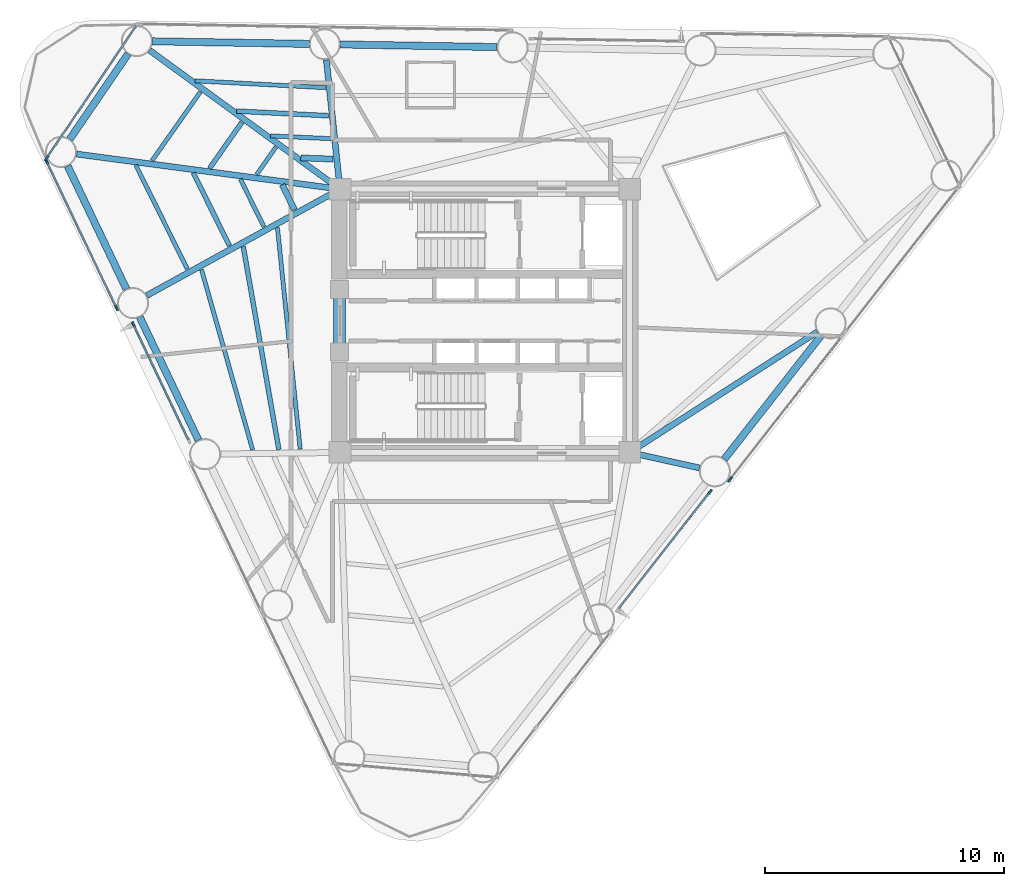
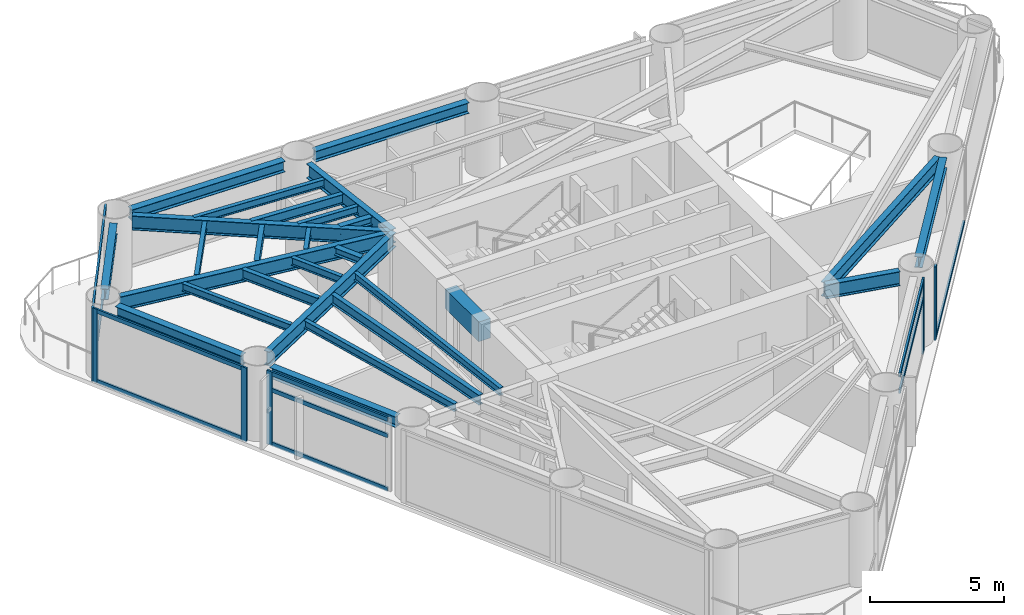
# One storey, part 3 of 10: 27 beams, 16 members, 5 elements without a shape of their own.
"""IFC4 building model written with IfcOpenShell, lengths in metres."""

from ifc_helpers import new_model, si_unit, direction, frame, origin, origin_2d, place, context, subcontext, project, spatial, rectangle, i_section, extrude, source, transform, mapped, material, layer, layer_set, material_profile, profile_set, type_object, element, aggregate, save


model = new_model("IFC4")

# Units and contexts
model_context = context("Model", 3, precision=1e-05, world=origin(), true_north=direction((0.0, 1.0)))
body_context = subcontext(model_context, "Body", "Model", "MODEL_VIEW")
ifc_project = project(units=[si_unit("LENGTHUNIT", "METRE"), si_unit("AREAUNIT", "SQUARE_METRE"), si_unit("VOLUMEUNIT", "CUBIC_METRE"), si_unit("PLANEANGLEUNIT", "RADIAN"), si_unit("MASSUNIT", "GRAM", prefix="KILO")], contexts=[model_context])

# Site, building, storey
site_placement = place(None, origin())
site = spatial("IfcSite", under=ifc_project, at=site_placement, CompositionType="ELEMENT")
building_placement = place(site_placement, origin())
building = spatial("IfcBuilding", under=site, at=building_placement, Name="Yunling Apex Tower", CompositionType="ELEMENT")
storey_placement = place(building_placement, frame((0.0, 0.0, 132.949951171875)))
storey = spatial("IfcBuildingStorey", under=building, at=storey_placement, Name="L32", CompositionType="ELEMENT", Elevation=132.949951171875)

# Beams
ifc_material_1 = material(Name="Concrete C50", Category="concrete")
ifc_material_profile_1 = material_profile(ifc_material_1, rectangle(XDim=0.5, YDim=0.89990234375, at=origin_2d()))
ifc_profile_set_1 = profile_set([ifc_material_profile_1], Name="Concrete C50")
beam_type_1 = type_object("IfcBeamType", Name="BC-CPL-2", PredefinedType="BEAM", material=ifc_profile_set_1)
shared_shape_1 = source(origin(), body_context, "Body", "SweptSolid", [
    extrude(rectangle(XDim=0.5, YDim=0.89990234375, at=origin_2d()), origin(), (0.0, 0.0, 1.0), 2.5),
])
beam_1_placement = place(storey_placement, frame((-6.074951171875, -1.25, 2.820068359375), z_axis=(0.0, 1.0, 0.0), x_axis=(-1.0, 0.0, 0.0)))
element("IfcBeam", 1, at=beam_1_placement, inside=storey, type_object=beam_type_1, Name="L32 Core West Portal Coupling Beam", PredefinedType="BEAM", context=body_context, shape_type="MappedRepresentation", body=[
    mapped(shared_shape_1, transform((0.0, 0.0, 0.0), scale=1.0)),
])
ifc_material_2 = material(Name="Steel Q355B", Category="steel")
ifc_material_profile_2 = material_profile(ifc_material_2, i_section(OverallWidth=0.300048828125, OverallDepth=0.489990234375, WebThickness=0.010986328125, FlangeThickness=0.01806640625, FilletRadius=0.02197265625, at=origin_2d()))
ifc_profile_set_2 = profile_set([ifc_material_profile_2], Name="Steel Q355B")
beam_type_2 = type_object("IfcBeamType", Name="BP-SPN-2", PredefinedType="SPANDREL", material=ifc_profile_set_2)
shared_shape_2 = source(origin(), body_context, "Body", "SweptSolid", [
    extrude(i_section(OverallWidth=0.300048828125, OverallDepth=0.489990234375, WebThickness=0.010986328125, FlangeThickness=0.01806640625, FilletRadius=0.02197265625, at=origin_2d()), origin(), (0.0, 0.0, 1.0), 6.562255859375),
])
beam_2_placement = place(storey_placement, frame((0.5166015625, 11.4375, 3.025146484375), z_axis=(-0.999859222118, 0.0167790329, 0.0), x_axis=(-0.0167790329, -0.999859222118, 0.0)))
element("IfcBeam", 2, at=beam_2_placement, inside=storey, type_object=beam_type_2, Name="L32 Perimeter Spandrel Beam 8", PredefinedType="SPANDREL", context=body_context, shape_type="MappedRepresentation", body=[
    mapped(shared_shape_2, transform((0.0, 0.0, 0.0), scale=1.0)),
])
shared_shape_3 = source(origin(), body_context, "Body", "SweptSolid", [
    extrude(i_section(OverallWidth=0.300048828125, OverallDepth=0.489990234375, WebThickness=0.010986328125, FlangeThickness=0.01806640625, FilletRadius=0.02197265625, at=origin_2d()), origin(), (0.0, 0.0, 1.0), 6.56201171875),
])
for number, where, z_axis, x_axis, name in (
    (3, (10.00732421875, -5.781982421875, 3.025146484375), (0.616233019323, 0.787563880518, 0.0), (-0.787563880518, 0.616233019323, 0.0), "L32 Perimeter Spandrel Beam 3"),
    (4, (-7.33251953125, 11.569091796875, 3.025146484375), (-0.999859211643, 0.016779657083, 0.0), (-0.016779657083, -0.999859211643, 0.0), "L32 Perimeter Spandrel Beam 9"),
):
    element("IfcBeam", number, at=place(storey_placement, frame(where, z_axis=z_axis, x_axis=x_axis)), inside=storey, type_object=beam_type_2, Name=name, PredefinedType="SPANDREL", context=body_context, shape_type="MappedRepresentation", body=[
        mapped(shared_shape_3, transform((0.0, 0.0, 0.0), scale=1.0)),
    ])
shared_shape_4 = source(origin(), body_context, "Body", "SweptSolid", [
    extrude(i_section(OverallWidth=0.300048828125, OverallDepth=0.489990234375, WebThickness=0.010986328125, FlangeThickness=0.01806640625, FilletRadius=0.02197265625, at=origin_2d()), origin(), (0.0, 0.0, 1.0), 4.328125),
])
beam_3_placement = place(storey_placement, frame((-14.901123046875, 11.158447265625, 3.025146484375), z_axis=(-0.564631339119, -0.825343232167, 0.0), x_axis=(0.825343232167, -0.564631339119, 0.0)))
element("IfcBeam", 5, at=beam_3_placement, inside=storey, type_object=beam_type_2, Name="L32 Perimeter Spandrel Beam 10", PredefinedType="SPANDREL", context=body_context, shape_type="MappedRepresentation", body=[
    mapped(shared_shape_4, transform((0.0, 0.0, 0.0), scale=1.0)),
])
shared_shape_5 = source(origin(), body_context, "Body", "SweptSolid", [
    extrude(i_section(OverallWidth=0.300048828125, OverallDepth=0.489990234375, WebThickness=0.010986328125, FlangeThickness=0.01806640625, FilletRadius=0.02197265625, at=origin_2d()), origin(), (0.0, 0.0, 1.0), 5.70751953125),
])
for number, where, z_axis, x_axis, name in (
    (6, (-17.431396484375, 6.473388671875, 3.025146484375), (0.430539541488, -0.902571716383, 0.0), (0.902571716383, 0.430539541488, 0.0), "L32 Perimeter Spandrel Beam 11"),
    (7, (-14.419677734375, 0.1591796875, 3.025146484375), (0.430539541488, -0.902571716383, 0.0), (0.902571716383, 0.430539541488, 0.0), "L32 Perimeter Spandrel Beam 12"),
):
    element("IfcBeam", number, at=place(storey_placement, frame(where, z_axis=z_axis, x_axis=x_axis)), inside=storey, type_object=beam_type_2, Name=name, PredefinedType="SPANDREL", context=body_context, shape_type="MappedRepresentation", body=[
        mapped(shared_shape_5, transform((0.0, 0.0, 0.0), scale=1.0)),
    ])
ifc_material_profile_3 = material_profile(ifc_material_2, i_section(OverallWidth=0.25, OverallDepth=0.64990234375, WebThickness=0.011962890625, FlangeThickness=0.02001953125, FilletRadius=0.02392578125, at=origin_2d()))
ifc_profile_set_3 = profile_set([ifc_material_profile_3], Name="Steel Q355B")
beam_type_3 = type_object("IfcBeamType", Name="BG-PRI-4", PredefinedType="USERDEFINED", material=ifc_profile_set_3)
shared_shape_6 = source(origin(), body_context, "Body", "SweptSolid", [
    extrude(i_section(OverallWidth=0.25, OverallDepth=0.64990234375, WebThickness=0.011962890625, FlangeThickness=0.02001953125, FilletRadius=0.02392578125, at=origin_2d()), origin(), (0.0, 0.0, 1.0), 2.908935546875),
])
beam_4_placement = place(storey_placement, frame((8.96826171875, -6.14697265625, 2.945068359375), z_axis=(-0.976295546219, 0.216441692917, 0.0), x_axis=(-0.216441692917, -0.976295546219, 0.0)))
element("IfcBeam", 8, at=beam_4_placement, inside=storey, type_object=beam_type_3, Name="L32 Radial Primary Girder R03", ObjectType="GIRDER", PredefinedType="USERDEFINED", context=body_context, shape_type="MappedRepresentation", body=[
    mapped(shared_shape_6, transform((0.0, 0.0, 0.0), scale=1.0)),
])
shared_shape_7 = source(origin(), body_context, "Body", "SweptSolid", [
    extrude(i_section(OverallWidth=0.25, OverallDepth=0.64990234375, WebThickness=0.011962890625, FlangeThickness=0.02001953125, FilletRadius=0.02392578125, at=origin_2d()), origin(), (0.0, 0.0, 1.0), 9.24267578125),
])
beam_5_placement = place(storey_placement, frame((13.894287109375, -0.46240234375, 2.945068359375), z_axis=(-0.841433276896, -0.540361027954, 0.0), x_axis=(0.540361027954, -0.841433276896, 0.0)))
element("IfcBeam", 9, at=beam_5_placement, inside=storey, type_object=beam_type_3, Name="L32 Radial Primary Girder R04", ObjectType="GIRDER", PredefinedType="USERDEFINED", context=body_context, shape_type="MappedRepresentation", body=[
    mapped(shared_shape_7, transform((0.0, 0.0, 0.0), scale=1.0)),
])
shared_shape_8 = source(origin(), body_context, "Body", "SweptSolid", [
    extrude(i_section(OverallWidth=0.25, OverallDepth=0.64990234375, WebThickness=0.011962890625, FlangeThickness=0.02001953125, FilletRadius=0.02392578125, at=origin_2d()), origin(), (0.0, 0.0, 1.0), 5.35400390625),
])
beam_6_placement = place(storey_placement, frame((-6.619384765625, 10.904052734375, 2.945068359375), z_axis=(0.104789227106, -0.99449445342, 0.0), x_axis=(0.99449445342, 0.104789227106, 0.0)))
element("IfcBeam", 10, at=beam_6_placement, inside=storey, type_object=beam_type_3, Name="L32 Radial Primary Girder R09", ObjectType="GIRDER", PredefinedType="USERDEFINED", context=body_context, shape_type="MappedRepresentation", body=[
    mapped(shared_shape_8, transform((0.0, 0.0, 0.0), scale=1.0)),
])
shared_shape_9 = source(origin(), body_context, "Body", "SweptSolid", [
    extrude(i_section(OverallWidth=0.25, OverallDepth=0.64990234375, WebThickness=0.011962890625, FlangeThickness=0.02001953125, FilletRadius=0.02392578125, at=origin_2d()), origin(), (0.0, 0.0, 1.0), 9.76708984375),
])
beam_7_placement = place(storey_placement, frame((-14.005859375, 11.30224609375, 2.945068359375), z_axis=(0.807958193343, -0.589239813497, 0.0), x_axis=(0.589239813497, 0.807958193343, 0.0)))
element("IfcBeam", 11, at=beam_7_placement, inside=storey, type_object=beam_type_3, Name="L32 Radial Primary Girder R10", ObjectType="GIRDER", PredefinedType="USERDEFINED", context=body_context, shape_type="MappedRepresentation", body=[
    mapped(shared_shape_9, transform((0.0, 0.0, 0.0), scale=1.0)),
])
shared_shape_10 = source(origin(), body_context, "Body", "SweptSolid", [
    extrude(i_section(OverallWidth=0.25, OverallDepth=0.64990234375, WebThickness=0.011962890625, FlangeThickness=0.02001953125, FilletRadius=0.02392578125, at=origin_2d()), origin(), (0.0, 0.0, 1.0), 11.023681640625),
])
beam_8_placement = place(storey_placement, frame((-17.056396484375, 6.9677734375, 2.945068359375), z_axis=(0.991223838358, -0.132194183952, 0.0), x_axis=(0.132194183952, 0.991223838358, 0.0)))
element("IfcBeam", 12, at=beam_8_placement, inside=storey, type_object=beam_type_3, Name="L32 Radial Primary Girder R11", ObjectType="GIRDER", PredefinedType="USERDEFINED", context=body_context, shape_type="MappedRepresentation", body=[
    mapped(shared_shape_10, transform((0.0, 0.0, 0.0), scale=1.0)),
])
shared_shape_11 = source(origin(), body_context, "Body", "SweptSolid", [
    extrude(i_section(OverallWidth=0.25, OverallDepth=0.64990234375, WebThickness=0.011962890625, FlangeThickness=0.02001953125, FilletRadius=0.02392578125, at=origin_2d()), origin(), (0.0, 0.0, 1.0), 9.132080078125),
])
beam_9_placement = place(storey_placement, frame((-14.120361328125, 1.057861328125, 2.945068359375), z_axis=(0.876057251214, 0.482207105501, 0.0), x_axis=(-0.482207105501, 0.876057251214, 0.0)))
element("IfcBeam", 13, at=beam_9_placement, inside=storey, type_object=beam_type_3, Name="L32 Radial Primary Girder R12", ObjectType="GIRDER", PredefinedType="USERDEFINED", context=body_context, shape_type="MappedRepresentation", body=[
    mapped(shared_shape_11, transform((0.0, 0.0, 0.0), scale=1.0)),
])
ifc_material_profile_4 = material_profile(ifc_material_2, i_section(OverallWidth=0.199951171875, OverallDepth=0.449951171875, WebThickness=0.009033203125, FlangeThickness=0.013916015625, FilletRadius=0.01806640625, at=origin_2d()))
ifc_profile_set_4 = profile_set([ifc_material_profile_4], Name="Steel Q355B")
beam_type_4 = type_object("IfcBeamType", Name="BS-SEC-3", PredefinedType="BEAM", material=ifc_profile_set_4)
shared_shape_12 = source(origin(), body_context, "Body", "SweptSolid", [
    extrude(i_section(OverallWidth=0.199951171875, OverallDepth=0.449951171875, WebThickness=0.009033203125, FlangeThickness=0.013916015625, FilletRadius=0.01806640625, at=origin_2d()), origin(), (0.0, 0.0, 1.0), 3.84619140625),
])
beam_10_placement = place(storey_placement, frame((-6.532470703125, 8.5693359375, 3.045166015625), z_axis=(-0.998745046624, 0.050083249128, 0.0), x_axis=(-0.050083249128, -0.998745046624, 0.0)))
element("IfcBeam", 14, at=beam_10_placement, inside=storey, type_object=beam_type_4, Name="L32 Composite Floor Beam BS-9", PredefinedType="BEAM", context=body_context, shape_type="MappedRepresentation", body=[
    mapped(shared_shape_12, transform((0.0, 0.0, 0.0), scale=1.0)),
])
ifc_material_profile_5 = material_profile(ifc_material_2, i_section(OverallWidth=0.175048828125, OverallDepth=0.35009765625, WebThickness=0.007080078125, FlangeThickness=0.010986328125, FilletRadius=0.013916015625, at=origin_2d()))
ifc_profile_set_5 = profile_set([ifc_material_profile_5], Name="Steel Q355B")
beam_type_5 = type_object("IfcBeamType", Name="BJ-JST-1", PredefinedType="JOIST", material=ifc_profile_set_5)
shared_shape_13 = source(origin(), body_context, "Body", "SweptSolid", [
    extrude(i_section(OverallWidth=0.175048828125, OverallDepth=0.35009765625, WebThickness=0.007080078125, FlangeThickness=0.010986328125, FilletRadius=0.013916015625, at=origin_2d()), origin(), (0.0, 0.0, 1.0), 5.4619140625),
])
beam_11_placement = place(storey_placement, frame((-6.65576171875, 9.740966796875, 3.094970703125), z_axis=(-0.998619804272, 0.052521295825, 0.0), x_axis=(-0.052521295825, -0.998619804272, 0.0)))
element("IfcBeam", 15, at=beam_11_placement, inside=storey, type_object=beam_type_5, Name="L32 Composite Floor Joist BJ1-9", PredefinedType="JOIST", context=body_context, shape_type="MappedRepresentation", body=[
    mapped(shared_shape_13, transform((0.0, 0.0, 0.0), scale=1.0)),
])
shared_shape_14 = source(origin(), body_context, "Body", "SweptSolid", [
    extrude(i_section(OverallWidth=0.175048828125, OverallDepth=0.35009765625, WebThickness=0.007080078125, FlangeThickness=0.010986328125, FilletRadius=0.013916015625, at=origin_2d()), origin(), (0.0, 0.0, 1.0), 2.52490234375),
])
beam_12_placement = place(storey_placement, frame((-6.431396484375, 7.6103515625, 3.094970703125), z_axis=(-0.998935787548, 0.046122579679, 0.0), x_axis=(-0.046122579679, -0.998935787548, 0.0)))
element("IfcBeam", 16, at=beam_12_placement, inside=storey, type_object=beam_type_5, Name="L32 Composite Floor Joist BJ3-9", PredefinedType="JOIST", context=body_context, shape_type="MappedRepresentation", body=[
    mapped(shared_shape_14, transform((0.0, 0.0, 0.0), scale=1.0)),
])
ifc_material_profile_6 = material_profile(ifc_material_2, i_section(OverallWidth=0.25, OverallDepth=0.340087890625, WebThickness=0.009033203125, FlangeThickness=0.013916015625, FilletRadius=0.01806640625, at=origin_2d()))
ifc_profile_set_6 = profile_set([ifc_material_profile_6], Name="Steel Q355B")
beam_type_6 = type_object("IfcBeamType", Name="BJ-JST-2", PredefinedType="JOIST", material=ifc_profile_set_6)
shared_shape_15 = source(origin(), body_context, "Body", "SweptSolid", [
    extrude(i_section(OverallWidth=0.25, OverallDepth=0.340087890625, WebThickness=0.009033203125, FlangeThickness=0.013916015625, FilletRadius=0.01806640625, at=origin_2d()), origin(), (0.0, 0.0, 1.0), 1.35009765625),
])
beam_13_placement = place(storey_placement, frame((-6.341796875, 6.7568359375, 3.10009765625), z_axis=(-0.999299138543, 0.03743302962, 0.0), x_axis=(-0.03743302962, -0.999299138543, 0.0)))
element("IfcBeam", 17, at=beam_13_placement, inside=storey, type_object=beam_type_6, Name="L32 Composite Floor Joist BJ2-9", PredefinedType="JOIST", context=body_context, shape_type="MappedRepresentation", body=[
    mapped(shared_shape_15, transform((0.0, 0.0, 0.0), scale=1.0)),
])
shared_shape_16 = source(origin(), body_context, "Body", "SweptSolid", [
    extrude(i_section(OverallWidth=0.199951171875, OverallDepth=0.449951171875, WebThickness=0.009033203125, FlangeThickness=0.013916015625, FilletRadius=0.01806640625, at=origin_2d()), origin(), (0.0, 0.0, 1.0), 2.349365234375),
])
beam_14_placement = place(storey_placement, frame((-10.152099609375, 8.293701171875, 3.045166015625), z_axis=(-0.574138652216, -0.818758088834, 0.0), x_axis=(0.818758088834, -0.574138652216, 0.0)))
element("IfcBeam", 18, at=beam_14_placement, inside=storey, type_object=beam_type_4, Name="L32 Composite Floor Beam BS-10", PredefinedType="BEAM", context=body_context, shape_type="MappedRepresentation", body=[
    mapped(shared_shape_16, transform((0.0, 0.0, 0.0), scale=1.0)),
])
shared_shape_17 = source(origin(), body_context, "Body", "SweptSolid", [
    extrude(i_section(OverallWidth=0.175048828125, OverallDepth=0.35009765625, WebThickness=0.007080078125, FlangeThickness=0.010986328125, FilletRadius=0.013916015625, at=origin_2d()), origin(), (0.0, 0.0, 1.0), 3.5068359375),
])
beam_15_placement = place(storey_placement, frame((-11.88818359375, 9.559814453125, 3.094970703125), z_axis=(-0.575031163817, -0.818131505712, 0.0), x_axis=(0.818131505712, -0.575031163817, 0.0)))
element("IfcBeam", 19, at=beam_15_placement, inside=storey, type_object=beam_type_5, Name="L32 Composite Floor Joist BJ1-10", PredefinedType="JOIST", context=body_context, shape_type="MappedRepresentation", body=[
    mapped(shared_shape_17, transform((0.0, 0.0, 0.0), scale=1.0)),
])
shared_shape_18 = source(origin(), body_context, "Body", "SweptSolid", [
    extrude(i_section(OverallWidth=0.175048828125, OverallDepth=0.35009765625, WebThickness=0.007080078125, FlangeThickness=0.010986328125, FilletRadius=0.013916015625, at=origin_2d()), origin(), (0.0, 0.0, 1.0), 1.40185546875),
])
beam_16_placement = place(storey_placement, frame((-8.7314453125, 7.257568359375, 3.094970703125), z_axis=(-0.572573774169, -0.819853202186, 0.0), x_axis=(0.819853202186, -0.572573774169, 0.0)))
element("IfcBeam", 20, at=beam_16_placement, inside=storey, type_object=beam_type_5, Name="L32 Composite Floor Joist BJ3-10", PredefinedType="JOIST", context=body_context, shape_type="MappedRepresentation", body=[
    mapped(shared_shape_18, transform((0.0, 0.0, 0.0), scale=1.0)),
])
shared_shape_19 = source(origin(), body_context, "Body", "SweptSolid", [
    extrude(i_section(OverallWidth=0.199951171875, OverallDepth=0.449951171875, WebThickness=0.009033203125, FlangeThickness=0.013916015625, FilletRadius=0.01806640625, at=origin_2d()), origin(), (0.0, 0.0, 1.0), 3.396484375),
])
beam_17_placement = place(storey_placement, frame((-12.177490234375, 6.18310546875, 3.045166015625), z_axis=(0.443500732864, -0.896274009413, 0.0), x_axis=(0.896274009413, 0.443500732864, 0.0)))
element("IfcBeam", 21, at=beam_17_placement, inside=storey, type_object=beam_type_4, Name="L32 Composite Floor Beam BS-11", PredefinedType="BEAM", context=body_context, shape_type="MappedRepresentation", body=[
    mapped(shared_shape_19, transform((0.0, 0.0, 0.0), scale=1.0)),
])
shared_shape_20 = source(origin(), body_context, "Body", "SweptSolid", [
    extrude(i_section(OverallWidth=0.175048828125, OverallDepth=0.35009765625, WebThickness=0.007080078125, FlangeThickness=0.010986328125, FilletRadius=0.013916015625, at=origin_2d()), origin(), (0.0, 0.0, 1.0), 4.837890625),
])
beam_18_placement = place(storey_placement, frame((-14.581298828125, 6.50390625, 3.094970703125), z_axis=(0.444385383115, -0.895835716677, 0.0), x_axis=(0.895835716677, 0.444385383115, 0.0)))
element("IfcBeam", 22, at=beam_18_placement, inside=storey, type_object=beam_type_5, Name="L32 Composite Floor Joist BJ1-11", PredefinedType="JOIST", context=body_context, shape_type="MappedRepresentation", body=[
    mapped(shared_shape_20, transform((0.0, 0.0, 0.0), scale=1.0)),
])
shared_shape_21 = source(origin(), body_context, "Body", "SweptSolid", [
    extrude(i_section(OverallWidth=0.175048828125, OverallDepth=0.35009765625, WebThickness=0.007080078125, FlangeThickness=0.010986328125, FilletRadius=0.013916015625, at=origin_2d()), origin(), (0.0, 0.0, 1.0), 2.217529296875),
])
beam_19_placement = place(storey_placement, frame((-10.2109375, 5.9208984375, 3.094970703125), z_axis=(0.441921230905, -0.897053858848, 0.0), x_axis=(0.897053858848, 0.441921230905, 0.0)))
element("IfcBeam", 23, at=beam_19_placement, inside=storey, type_object=beam_type_5, Name="L32 Composite Floor Joist BJ3-11", PredefinedType="JOIST", context=body_context, shape_type="MappedRepresentation", body=[
    mapped(shared_shape_21, transform((0.0, 0.0, 0.0), scale=1.0)),
])
shared_shape_22 = source(origin(), body_context, "Body", "SweptSolid", [
    extrude(i_section(OverallWidth=0.25, OverallDepth=0.340087890625, WebThickness=0.009033203125, FlangeThickness=0.013916015625, FilletRadius=0.01806640625, at=origin_2d()), origin(), (0.0, 0.0, 1.0), 1.16943359375),
])
beam_20_placement = place(storey_placement, frame((-8.463134765625, 5.6875, 3.10009765625), z_axis=(0.438592252634, -0.898686172103, 0.0), x_axis=(0.898686172103, 0.438592252634, 0.0)))
element("IfcBeam", 24, at=beam_20_placement, inside=storey, type_object=beam_type_6, Name="L32 Composite Floor Joist BJ2-11", PredefinedType="JOIST", context=body_context, shape_type="MappedRepresentation", body=[
    mapped(shared_shape_22, transform((0.0, 0.0, 0.0), scale=1.0)),
])
shared_shape_23 = source(origin(), body_context, "Body", "SweptSolid", [
    extrude(i_section(OverallWidth=0.199951171875, OverallDepth=0.449951171875, WebThickness=0.009033203125, FlangeThickness=0.013916015625, FilletRadius=0.01806640625, at=origin_2d()), origin(), (0.0, 0.0, 1.0), 8.60693359375),
])
beam_21_placement = place(storey_placement, frame((-10.092529296875, 3.10205078125, 3.045166015625), z_axis=(0.172691332669, -0.984975991393, 0.0), x_axis=(0.984975991393, 0.172691332669, 0.0)))
element("IfcBeam", 25, at=beam_21_placement, inside=storey, type_object=beam_type_4, Name="L32 Composite Floor Beam BS-12", PredefinedType="BEAM", context=body_context, shape_type="MappedRepresentation", body=[
    mapped(shared_shape_23, transform((0.0, 0.0, 0.0), scale=1.0)),
])
shared_shape_24 = source(origin(), body_context, "Body", "SweptSolid", [
    extrude(i_section(OverallWidth=0.175048828125, OverallDepth=0.35009765625, WebThickness=0.007080078125, FlangeThickness=0.010986328125, FilletRadius=0.013916015625, at=origin_2d()), origin(), (0.0, 0.0, 1.0), 7.82763671875),
])
beam_22_placement = place(storey_placement, frame((-11.836669921875, 2.136962890625, 3.094970703125), z_axis=(0.273002905438, -0.962013208653, 0.0), x_axis=(0.962013208653, 0.273002905438, 0.0)))
element("IfcBeam", 26, at=beam_22_placement, inside=storey, type_object=beam_type_5, Name="L32 Composite Floor Joist BJ1-12", PredefinedType="JOIST", context=body_context, shape_type="MappedRepresentation", body=[
    mapped(shared_shape_24, transform((0.0, 0.0, 0.0), scale=1.0)),
])
shared_shape_25 = source(origin(), body_context, "Body", "SweptSolid", [
    extrude(i_section(OverallWidth=0.175048828125, OverallDepth=0.35009765625, WebThickness=0.007080078125, FlangeThickness=0.010986328125, FilletRadius=0.013916015625, at=origin_2d()), origin(), (0.0, 0.0, 1.0), 9.303955078125),
])
beam_23_placement = place(storey_placement, frame((-8.663818359375, 3.89306640625, 3.094970703125), z_axis=(0.102153373674, -0.994768660668, 0.0), x_axis=(0.994768660668, 0.102153373674, 0.0)))
element("IfcBeam", 27, at=beam_23_placement, inside=storey, type_object=beam_type_5, Name="L32 Composite Floor Joist BJ3-12", PredefinedType="JOIST", context=body_context, shape_type="MappedRepresentation", body=[
    mapped(shared_shape_25, transform((0.0, 0.0, 0.0), scale=1.0)),
])

# Curtain wall, member
ifc_material_3 = material(Name="Bronze anodised aluminium", Category="aluminium")
ifc_layer = layer(ifc_material_3, 0.239990234375)
ifc_layer_set = layer_set([ifc_layer], Name="Bronze anodised aluminium")
curtain_wall_type = type_object("IfcCurtainWallType", Name="CW-SYS-3", PredefinedType="NOTDEFINED", material=ifc_layer_set)
curtain_wall_1_placement = place(storey_placement, origin())
curtain_wall_1 = element("IfcCurtainWall", 28, at=curtain_wall_1_placement, inside=storey, type_object=curtain_wall_type, Name="CW-L32-F1-B2", PredefinedType="NOTDEFINED")
ifc_material_profile_7 = material_profile(ifc_material_3, rectangle(XDim=0.080078125, YDim=0.239990234375, at=origin_2d()))
ifc_profile_set_7 = profile_set([ifc_material_profile_7], Name="Bronze anodised aluminium")
member_type_1 = type_object("IfcMemberType", Name="CW-MUL-3", PredefinedType="MULLION", material=ifc_profile_set_7)
shared_shape_26 = source(origin(), body_context, "Body", "SweptSolid", [
    extrude(rectangle(XDim=0.080078125, YDim=0.239990234375, at=origin_2d()), origin(), (0.0, 0.0, 1.0), 3.3701171875),
])
member_1_placement = place(storey_placement, frame((9.40283203125, -7.1552734375, -0.050048828125), z_axis=(0.0, 0.0, 1.0), x_axis=(-0.787590269126, 0.616199292419, 0.0)))
member_1 = element("IfcMember", 29, at=member_1_placement, type_object=member_type_1, Name="CW-SYS-3 mullion 2", PredefinedType="MULLION", context=body_context, shape_type="MappedRepresentation", body=[
    mapped(shared_shape_26, transform((0.0, 0.0, 0.0), scale=1.0)),
])

curtain_wall_2_placement = place(storey_placement, origin())
curtain_wall_2 = element("IfcCurtainWall", 30, at=curtain_wall_2_placement, inside=storey, type_object=curtain_wall_type, Name="CW-L32-F1-B3", PredefinedType="NOTDEFINED")
member_2_placement = place(storey_placement, frame((10.24365234375, -6.632080078125, -0.050048828125), z_axis=(0.0, 0.0, 1.0), x_axis=(-0.787583748686, 0.616207626377, 0.0)))
member_2 = element("IfcMember", 31, at=member_2_placement, type_object=member_type_1, Name="CW-SYS-3 mullion 1", PredefinedType="MULLION", context=body_context, shape_type="MappedRepresentation", body=[
    mapped(shared_shape_26, transform((0.0, 0.0, 0.0), scale=1.0)),
])

curtain_wall_3_placement = place(storey_placement, origin())
curtain_wall_3 = element("IfcCurtainWall", 32, at=curtain_wall_3_placement, inside=storey, type_object=curtain_wall_type, Name="CW-L32-CRN2", PredefinedType="NOTDEFINED")
member_3_placement = place(storey_placement, frame((-18.308837890625, 6.791015625, -0.050048828125), z_axis=(0.0, 0.0, 1.0), x_axis=(0.82813882115, -0.560523052964, 0.0)))
member_3 = element("IfcMember", 33, at=member_3_placement, type_object=member_type_1, Name="CW-SYS-3 mullion 2", PredefinedType="MULLION", context=body_context, shape_type="MappedRepresentation", body=[
    mapped(shared_shape_26, transform((0.0, 0.0, 0.0), scale=1.0)),
])

# Curtain wall, members
curtain_wall_4_placement = place(storey_placement, origin())
curtain_wall_4 = element("IfcCurtainWall", 34, at=curtain_wall_4_placement, inside=storey, type_object=curtain_wall_type, Name="CW-L32-F3-B1", PredefinedType="NOTDEFINED")
member_4_placement = place(storey_placement, frame((-18.297607421875, 6.640869140625, -0.050048828125), z_axis=(0.0, 0.0, 1.0), x_axis=(0.902587765133, 0.4305058957, 0.0)))
member_4 = element("IfcMember", 35, at=member_4_placement, type_object=member_type_1, Name="CW-SYS-3 mullion 1", PredefinedType="MULLION", context=body_context, shape_type="MappedRepresentation", body=[
    mapped(shared_shape_26, transform((0.0, 0.0, 0.0), scale=1.0)),
])
member_5_placement = place(storey_placement, frame((-15.389404296875, 0.543212890625, -0.050048828125), z_axis=(0.0, 0.0, 1.0), x_axis=(0.902587765133, 0.4305058957, 0.0)))
member_5 = element("IfcMember", 36, at=member_5_placement, type_object=member_type_1, Name="CW-SYS-3 mullion 2", PredefinedType="MULLION", context=body_context, shape_type="MappedRepresentation", body=[
    mapped(shared_shape_26, transform((0.0, 0.0, 0.0), scale=1.0)),
])

# Curtain wall, member
curtain_wall_5_placement = place(storey_placement, origin())
curtain_wall_5 = element("IfcCurtainWall", 37, at=curtain_wall_5_placement, inside=storey, type_object=curtain_wall_type, Name="CW-L32-F3-B2", PredefinedType="NOTDEFINED")
member_6_placement = place(storey_placement, frame((-14.68212890625, -0.14990234375, -0.050048828125), z_axis=(0.0, 0.0, 1.0), x_axis=(0.902579794247, 0.430522606859, 0.0)))
member_6 = element("IfcMember", 38, at=member_6_placement, type_object=member_type_1, Name="CW-SYS-3 mullion 1", PredefinedType="MULLION", context=body_context, shape_type="MappedRepresentation", body=[
    mapped(shared_shape_26, transform((0.0, 0.0, 0.0), scale=1.0)),
])

# Member
ifc_material_profile_8 = material_profile(ifc_material_3, rectangle(XDim=0.080078125, YDim=0.18505859375, at=origin_2d()))
ifc_profile_set_8 = profile_set([ifc_material_profile_8], Name="Bronze anodised aluminium")
member_type_2 = type_object("IfcMemberType", Name="CW-TRN-3", PredefinedType="USERDEFINED", material=ifc_profile_set_8)
shared_shape_27 = source(origin(), body_context, "Body", "SweptSolid", [
    extrude(rectangle(XDim=0.080078125, YDim=0.18505859375, at=origin_2d()), origin(), (0.0, 0.0, 1.0), 6.158203125),
])
member_7_placement = place(storey_placement, frame((5.5859375, -12.03369140625, 2.4853515625), z_axis=(0.616202427613, 0.787587816185, 0.0), x_axis=(-0.787587816185, 0.616202427613, 0.0)))
member_7 = element("IfcMember", 39, at=member_7_placement, type_object=member_type_2, Name="CW-SYS-3 transom 1.2", ObjectType="TRANSOM", PredefinedType="USERDEFINED", context=body_context, shape_type="MappedRepresentation", body=[
    mapped(shared_shape_27, transform((0.0, 0.0, 0.0), scale=1.0)),
])

member_8_placement = place(storey_placement, frame((5.5859375, -12.03369140625, 3.22998046875), z_axis=(0.616202427613, 0.787587816185, 0.0), x_axis=(-0.787587816185, 0.616202427613, 0.0)))
member_8 = element("IfcMember", 40, at=member_8_placement, type_object=member_type_2, Name="CW-SYS-3 transom 1.3", ObjectType="TRANSOM", PredefinedType="USERDEFINED", context=body_context, shape_type="MappedRepresentation", body=[
    mapped(shared_shape_27, transform((0.0, 0.0, 0.0), scale=1.0)),
])

aggregate(curtain_wall_1, [member_1, member_7, member_8])

shared_shape_28 = source(origin(), body_context, "Body", "SweptSolid", [
    extrude(rectangle(XDim=0.080078125, YDim=0.18505859375, at=origin_2d()), origin(), (0.0, 0.0, 1.0), 7.5380859375),
])
member_9_placement = place(storey_placement, frame((10.265869140625, -6.603759765625, 0.0400390625), z_axis=(0.616213940974, 0.787578808088, 0.0), x_axis=(-0.787578808088, 0.616213940974, 0.0)))
member_9 = element("IfcMember", 41, at=member_9_placement, type_object=member_type_2, Name="CW-SYS-3 transom 1.1", ObjectType="TRANSOM", PredefinedType="USERDEFINED", context=body_context, shape_type="MappedRepresentation", body=[
    mapped(shared_shape_28, transform((0.0, 0.0, 0.0), scale=1.0)),
])

aggregate(curtain_wall_2, [member_2, member_9])

shared_shape_29 = source(origin(), body_context, "Body", "SweptSolid", [
    extrude(rectangle(XDim=0.080078125, YDim=0.18505859375, at=origin_2d()), origin(), (0.0, 0.0, 1.0), 6.63671875),
])
member_10_placement = place(storey_placement, frame((-14.568603515625, 12.31689453125, 0.0400390625), z_axis=(-0.560543901892, -0.828124709239, 0.0), x_axis=(0.828124709239, -0.560543901892, 0.0)))
member_10 = element("IfcMember", 42, at=member_10_placement, type_object=member_type_2, Name="CW-SYS-3 transom 1.1", ObjectType="TRANSOM", PredefinedType="USERDEFINED", context=body_context, shape_type="MappedRepresentation", body=[
    mapped(shared_shape_29, transform((0.0, 0.0, 0.0), scale=1.0)),
])

member_11_placement = place(storey_placement, frame((-14.568603515625, 12.31689453125, 3.22998046875), z_axis=(-0.560543901892, -0.828124709239, 0.0), x_axis=(0.828124709239, -0.560543901892, 0.0)))
member_11 = element("IfcMember", 43, at=member_11_placement, type_object=member_type_2, Name="CW-SYS-3 transom 1.2", ObjectType="TRANSOM", PredefinedType="USERDEFINED", context=body_context, shape_type="MappedRepresentation", body=[
    mapped(shared_shape_29, transform((0.0, 0.0, 0.0), scale=1.0)),
])

aggregate(curtain_wall_3, [member_3, member_10, member_11])

shared_shape_30 = source(origin(), body_context, "Body", "SweptSolid", [
    extrude(rectangle(XDim=0.080078125, YDim=0.18505859375, at=origin_2d()), origin(), (0.0, 0.0, 1.0), 6.683837890625),
])
member_12_placement = place(storey_placement, frame((-18.2822265625, 6.6083984375, 0.0400390625), z_axis=(0.430509150299, -0.902586212785, 0.0), x_axis=(0.902586212785, 0.430509150299, 0.0)))
member_12 = element("IfcMember", 44, at=member_12_placement, type_object=member_type_2, Name="CW-SYS-3 transom 1.1", ObjectType="TRANSOM", PredefinedType="USERDEFINED", context=body_context, shape_type="MappedRepresentation", body=[
    mapped(shared_shape_30, transform((0.0, 0.0, 0.0), scale=1.0)),
])

member_13_placement = place(storey_placement, frame((-18.2822265625, 6.6083984375, 3.22998046875), z_axis=(0.430509150299, -0.902586212785, 0.0), x_axis=(0.902586212785, 0.430509150299, 0.0)))
member_13 = element("IfcMember", 45, at=member_13_placement, type_object=member_type_2, Name="CW-SYS-3 transom 1.2", ObjectType="TRANSOM", PredefinedType="USERDEFINED", context=body_context, shape_type="MappedRepresentation", body=[
    mapped(shared_shape_30, transform((0.0, 0.0, 0.0), scale=1.0)),
])

aggregate(curtain_wall_4, [member_4, member_5, member_12, member_13])

shared_shape_31 = source(origin(), body_context, "Body", "SweptSolid", [
    extrude(rectangle(XDim=0.080078125, YDim=0.18505859375, at=origin_2d()), origin(), (0.0, 0.0, 1.0), 5.303466796875),
])
member_14_placement = place(storey_placement, frame((-14.66650390625, -0.182373046875, 0.0400390625), z_axis=(0.43050887408, -0.902586344534, 0.0), x_axis=(0.902586344534, 0.43050887408, 0.0)))
member_14 = element("IfcMember", 46, at=member_14_placement, type_object=member_type_2, Name="CW-SYS-3 transom 1.1", ObjectType="TRANSOM", PredefinedType="USERDEFINED", context=body_context, shape_type="MappedRepresentation", body=[
    mapped(shared_shape_31, transform((0.0, 0.0, 0.0), scale=1.0)),
])

member_15_placement = place(storey_placement, frame((-14.66650390625, -0.182373046875, 2.4853515625), z_axis=(0.43050887408, -0.902586344534, 0.0), x_axis=(0.902586344534, 0.43050887408, 0.0)))
member_15 = element("IfcMember", 47, at=member_15_placement, type_object=member_type_2, Name="CW-SYS-3 transom 1.2", ObjectType="TRANSOM", PredefinedType="USERDEFINED", context=body_context, shape_type="MappedRepresentation", body=[
    mapped(shared_shape_31, transform((0.0, 0.0, 0.0), scale=1.0)),
])

member_16_placement = place(storey_placement, frame((-14.66650390625, -0.182373046875, 3.22998046875), z_axis=(0.43050887408, -0.902586344534, 0.0), x_axis=(0.902586344534, 0.43050887408, 0.0)))
member_16 = element("IfcMember", 48, at=member_16_placement, type_object=member_type_2, Name="CW-SYS-3 transom 1.3", ObjectType="TRANSOM", PredefinedType="USERDEFINED", context=body_context, shape_type="MappedRepresentation", body=[
    mapped(shared_shape_31, transform((0.0, 0.0, 0.0), scale=1.0)),
])

aggregate(curtain_wall_5, [member_6, member_14, member_15, member_16])

save(model, "model.ifc")
